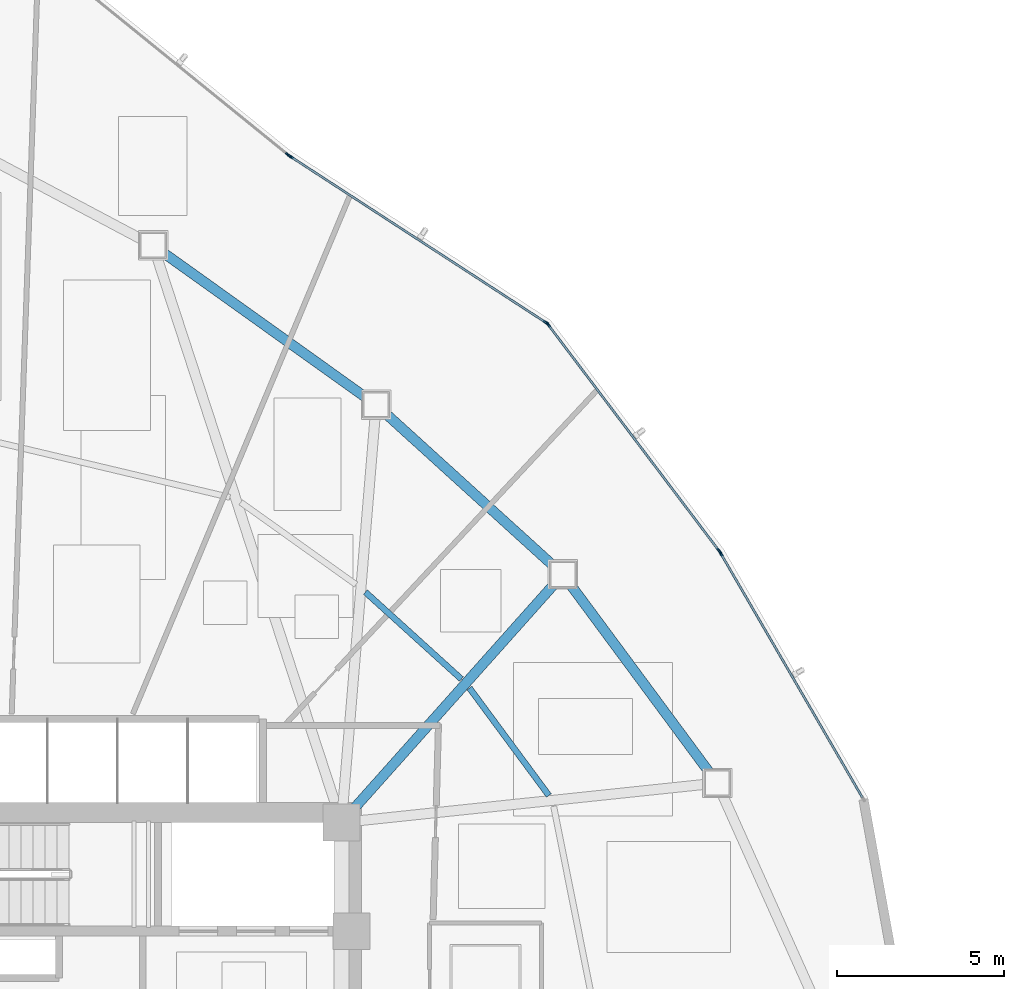
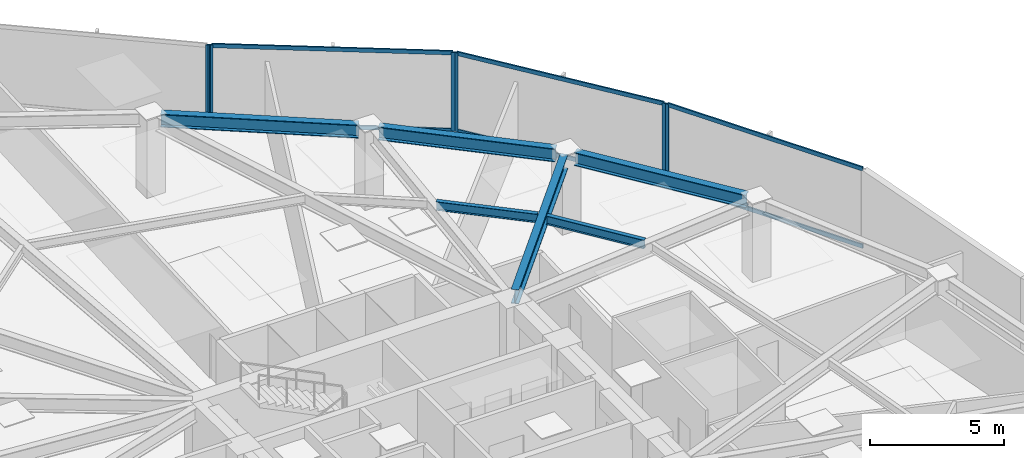
# One storey, part 9 of 17: 12 members, 6 beams, 4 elements without a shape of their own.
"""IFC4 building model written with IfcOpenShell, lengths in metres."""

from ifc_helpers import new_model, si_unit, direction, frame, origin, origin_2d, place, context, subcontext, project, spatial, hollow_rectangle, i_section, extrude, source, transform, mapped, material, layer, layer_set, material_profile, profile_set, type_object, type_shapes, element, aggregate, save


model = new_model("IFC4")

# Units and contexts
model_context = context("Model", 3, precision=1e-05, world=origin(), true_north=direction((0.0, 1.0)))
body_context = subcontext(model_context, "Body", "Model", "MODEL_VIEW")
ifc_project = project(units=[si_unit("LENGTHUNIT", "METRE"), si_unit("AREAUNIT", "SQUARE_METRE"), si_unit("VOLUMEUNIT", "CUBIC_METRE"), si_unit("PLANEANGLEUNIT", "RADIAN"), si_unit("MASSUNIT", "GRAM", prefix="KILO")], contexts=[model_context])

# Site, building, storey
site_placement = place(None, origin())
site = spatial("IfcSite", under=ifc_project, at=site_placement, CompositionType="ELEMENT")
building_placement = place(site_placement, origin())
building = spatial("IfcBuilding", under=site, at=building_placement, Name="Tavelor Broadcast Tower", CompositionType="ELEMENT")
storey_placement = place(building_placement, frame((0.0, 0.0, 39.300048828125)))
storey = spatial("IfcBuildingStorey", under=building, at=storey_placement, Name="L08", CompositionType="ELEMENT", Elevation=39.300048828125)

# Beams
ifc_material_1 = material(Name="Steel S355", Category="steel")
ifc_material_profile_1 = material_profile(ifc_material_1, i_section(OverallWidth=0.179931640625, OverallDepth=0.39990234375, WebThickness=0.008544921875, FlangeThickness=0.013427734375, at=origin_2d()), Name="IPE 400")
ifc_profile_set_1 = profile_set([ifc_material_profile_1], Name="Steel S355")
beam_type_1 = type_object("IfcBeamType", Name="Composite Floor Joist T1 IPE 400", PredefinedType="JOIST", material=ifc_profile_set_1)
beam_1_placement = place(storey_placement, frame((62.804443359375, 52.009521484375, 3.39990234375), z_axis=(-0.594288025828, 0.804252287754, 0.0), x_axis=(-0.804252287754, -0.594288025828, 0.0)))
element("IfcBeam", 1, at=beam_1_placement, inside=storey, type_object=beam_type_1, Name="L08 Secondary Composite Floor Joist 15", PredefinedType="JOIST", context=body_context, shape_type="SweptSolid", body=[
    extrude(i_section(OverallWidth=0.179931640625, OverallDepth=0.39990234375, WebThickness=0.008544921875, FlangeThickness=0.013427734375, at=origin_2d()), origin(), (0.0, 0.0, 1.0), 3.99755859375),
])
beam_2_placement = place(storey_placement, frame((60.18701171875, 55.49169921875, 3.39990234375), z_axis=(-0.740990869176, 0.67151510169, 0.0), x_axis=(-0.67151510169, -0.740990869176, 0.0)))
element("IfcBeam", 2, at=beam_2_placement, inside=storey, type_object=beam_type_1, Name="L08 Secondary Composite Floor Joist 16", PredefinedType="JOIST", context=body_context, shape_type="SweptSolid", body=[
    extrude(i_section(OverallWidth=0.179931640625, OverallDepth=0.39990234375, WebThickness=0.008544921875, FlangeThickness=0.013427734375, at=origin_2d()), origin(), (0.0, 0.0, 1.0), 3.8759765625),
])
ifc_material_profile_2 = material_profile(ifc_material_1, i_section(OverallWidth=0.300048828125, OverallDepth=0.60009765625, WebThickness=0.015380859375, FlangeThickness=0.030029296875, at=origin_2d()), Name="HEB 600")
ifc_profile_set_2 = profile_set([ifc_material_profile_2], Name="Steel S355")
beam_type_2 = type_object("IfcBeamType", Name="Perimeter Spandrel Beam T1 HEB 600", PredefinedType="SPANDREL", material=ifc_profile_set_2)
beam_3_placement = place(storey_placement, frame((67.6123046875, 52.69140625, 3.300048828125), z_axis=(-0.594687385164, 0.803957034876, 0.0), x_axis=(-0.803957034876, -0.594687385164, 0.0)))
element("IfcBeam", 3, at=beam_3_placement, inside=storey, type_object=beam_type_2, Name="L08 Framed-Tube Ring Spandrel 15", PredefinedType="SPANDREL", context=body_context, shape_type="SweptSolid", body=[
    extrude(i_section(OverallWidth=0.300048828125, OverallDepth=0.60009765625, WebThickness=0.015380859375, FlangeThickness=0.030029296875, at=origin_2d()), origin(), (0.0, 0.0, 1.0), 6.9951171875),
])
beam_4_placement = place(storey_placement, frame((62.939697265625, 58.882080078125, 3.300048828125), z_axis=(-0.740415616175, 0.672149325168, 0.0), x_axis=(-0.672149325168, -0.740415616175, 0.0)))
element("IfcBeam", 4, at=beam_4_placement, inside=storey, type_object=beam_type_2, Name="L08 Framed-Tube Ring Spandrel 16", PredefinedType="SPANDREL", context=body_context, shape_type="SweptSolid", body=[
    extrude(i_section(OverallWidth=0.300048828125, OverallDepth=0.60009765625, WebThickness=0.015380859375, FlangeThickness=0.030029296875, at=origin_2d()), origin(), (0.0, 0.0, 1.0), 6.78076171875),
])
beam_5_placement = place(storey_placement, frame((57.322509765625, 63.921142578125, 3.300048828125), z_axis=(-0.813480467782, 0.581592235624, 0.0), x_axis=(-0.581592235624, -0.813480467782, 0.0)))
element("IfcBeam", 5, at=beam_5_placement, inside=storey, type_object=beam_type_2, Name="L08 Framed-Tube Ring Spandrel 17", PredefinedType="SPANDREL", context=body_context, shape_type="SweptSolid", body=[
    extrude(i_section(OverallWidth=0.300048828125, OverallDepth=0.60009765625, WebThickness=0.015380859375, FlangeThickness=0.030029296875, at=origin_2d()), origin(), (0.0, 0.0, 1.0), 7.43505859375),
])
ifc_material_profile_3 = material_profile(ifc_material_1, i_section(OverallWidth=0.300048828125, OverallDepth=0.64990234375, WebThickness=0.01611328125, FlangeThickness=0.031005859375, at=origin_2d()), Name="HEB 650")
ifc_profile_set_3 = profile_set([ifc_material_profile_3], Name="Steel S355")
beam_type_3 = type_object("IfcBeamType", Name="Radial Floor Girder T1 HEB 650", PredefinedType="BEAM", material=ifc_profile_set_3)
beam_6_placement = place(storey_placement, frame((56.951416015625, 51.593994140625, 3.27490234375), z_axis=(0.665781144197, 0.746147082036, 0.0), x_axis=(-0.746147082036, 0.665781144197, 0.0)))
element("IfcBeam", 6, at=beam_6_placement, inside=storey, type_object=beam_type_3, Name="L08 Radial Primary Floor Girder 16", PredefinedType="BEAM", context=body_context, shape_type="SweptSolid", body=[
    extrude(i_section(OverallWidth=0.300048828125, OverallDepth=0.64990234375, WebThickness=0.01611328125, FlangeThickness=0.031005859375, at=origin_2d()), origin(), (0.0, 0.0, 1.0), 9.03759765625),
])

# Curtain wall, member
ifc_material_2 = material(Name="Architectural Anodized Aluminium", Category="aluminium")
ifc_layer = layer(ifc_material_2, 0.179931640625)
ifc_layer_set = layer_set([ifc_layer], Name="Architectural Anodized Aluminium")
curtain_wall_type = type_object("IfcCurtainWallType", Name="Tower Low-Zone Unitised Curtain Wall CW02", PredefinedType="NOTDEFINED", material=ifc_layer_set)
curtain_wall_1_placement = place(storey_placement, origin())
curtain_wall_1 = element("IfcCurtainWall", 7, at=curtain_wall_1_placement, inside=storey, type_object=curtain_wall_type, Name="L08 Curtain Wall CW02 Run 57", PredefinedType="NOTDEFINED")
ifc_material_profile_4 = material_profile(ifc_material_2, hollow_rectangle(XDim=0.06494140625, YDim=0.179931640625, WallThickness=0.02197265625, at=origin_2d()), Name="RHS 65x180x22")
ifc_profile_set_4 = profile_set([ifc_material_profile_4], Name="Architectural Anodized Aluminium")
member_type_1 = type_object("IfcMemberType", Name="CW02 Extruded Aluminium Mullion 65x180", PredefinedType="MULLION", material=ifc_profile_set_4)
shared_shape_1 = source(origin(), body_context, "Body", "SweptSolid", [
    extrude(hollow_rectangle(XDim=0.06494140625, YDim=0.179931640625, WallThickness=0.02197265625, at=origin_2d()), origin(), (0.0, 0.0, 1.0), 3.599853515625),
])
type_shapes(member_type_1, [shared_shape_1])
member_1_placement = place(storey_placement, frame((67.943359375, 59.25634765625, 0.0), z_axis=(0.0, 0.0, 1.0), x_axis=(-0.864933850197, -0.501885878247, 0.0)))
member_1 = element("IfcMember", 8, at=member_1_placement, type_object=member_type_1, Name="CW02 mullion 2", PredefinedType="MULLION", context=body_context, shape_type="MappedRepresentation", body=[
    mapped(shared_shape_1, transform((0.0, 0.0, 0.0), scale=1.0)),
])

# Curtain wall, members
curtain_wall_2_placement = place(storey_placement, origin())
curtain_wall_2 = element("IfcCurtainWall", 9, at=curtain_wall_2_placement, inside=storey, type_object=curtain_wall_type, Name="L08 Curtain Wall CW02 Run 58", PredefinedType="NOTDEFINED")
member_2_placement = place(storey_placement, frame((67.890869140625, 59.33544921875, 0.0), z_axis=(0.0, 0.0, 1.0), x_axis=(-0.797845916737, -0.60286142118, 0.0)))
member_2 = element("IfcMember", 10, at=member_2_placement, type_object=member_type_1, Name="CW02 mullion 1", PredefinedType="MULLION", context=body_context, shape_type="MappedRepresentation", body=[
    mapped(shared_shape_1, transform((0.0, 0.0, 0.0), scale=1.0)),
])
member_3_placement = place(storey_placement, frame((62.78271484375, 66.095703125, 0.0), z_axis=(0.0, 0.0, 1.0), x_axis=(-0.797845916737, -0.60286142118, 0.0)))
member_3 = element("IfcMember", 11, at=member_3_placement, type_object=member_type_1, Name="CW02 mullion 2", PredefinedType="MULLION", context=body_context, shape_type="MappedRepresentation", body=[
    mapped(shared_shape_1, transform((0.0, 0.0, 0.0), scale=1.0)),
])

curtain_wall_3_placement = place(storey_placement, origin())
curtain_wall_3 = element("IfcCurtainWall", 12, at=curtain_wall_3_placement, inside=storey, type_object=curtain_wall_type, Name="L08 Curtain Wall CW02 Run 59", PredefinedType="NOTDEFINED")
member_4_placement = place(storey_placement, frame((62.714111328125, 66.159423828125, 0.0), z_axis=(0.0, 0.0, 1.0), x_axis=(-0.544982216558, -0.838447603393, 0.0)))
member_4 = element("IfcMember", 13, at=member_4_placement, type_object=member_type_1, Name="CW02 mullion 1", PredefinedType="MULLION", context=body_context, shape_type="MappedRepresentation", body=[
    mapped(shared_shape_1, transform((0.0, 0.0, 0.0), scale=1.0)),
])
member_5_placement = place(storey_placement, frame((55.08154296875, 71.12060546875, 0.0), z_axis=(0.0, 0.0, 1.0), x_axis=(-0.544982216558, -0.838447603393, 0.0)))
member_5 = element("IfcMember", 14, at=member_5_placement, type_object=member_type_1, Name="CW02 mullion 2", PredefinedType="MULLION", context=body_context, shape_type="MappedRepresentation", body=[
    mapped(shared_shape_1, transform((0.0, 0.0, 0.0), scale=1.0)),
])

# Curtain wall, member
curtain_wall_4_placement = place(storey_placement, origin())
curtain_wall_4 = element("IfcCurtainWall", 15, at=curtain_wall_4_placement, inside=storey, type_object=curtain_wall_type, Name="L08 Curtain Wall CW02 Run 60", PredefinedType="NOTDEFINED")
member_6_placement = place(storey_placement, frame((55.004638671875, 71.176513671875, 0.0), z_axis=(0.0, 0.0, 1.0), x_axis=(-0.629631012574, -0.776894322289, 0.0)))
member_6 = element("IfcMember", 16, at=member_6_placement, type_object=member_type_1, Name="CW02 mullion 1", PredefinedType="MULLION", context=body_context, shape_type="MappedRepresentation", body=[
    mapped(shared_shape_1, transform((0.0, 0.0, 0.0), scale=1.0)),
])
aggregate(curtain_wall_4, [member_6])

# Member
ifc_material_profile_5 = material_profile(ifc_material_2, hollow_rectangle(XDim=0.06494140625, YDim=0.179931640625, WallThickness=0.02197265625, at=origin_2d()), Name="RHS 65x180x22")
ifc_profile_set_5 = profile_set([ifc_material_profile_5], Name="Architectural Anodized Aluminium")
member_type_2 = type_object("IfcMemberType", Name="CW02 Extruded Aluminium Transom 65x180", PredefinedType="USERDEFINED", material=ifc_profile_set_5)
shared_shape_2 = source(origin(), body_context, "Body", "SweptSolid", [
    extrude(hollow_rectangle(XDim=0.06494140625, YDim=0.179931640625, WallThickness=0.02197265625, at=origin_2d()), origin(), (0.0, 0.0, 1.0), 8.423095703125),
])
member_7_placement = place(storey_placement, frame((72.18701171875, 51.94287109375, 0.032470703125), z_axis=(-0.501874674974, 0.864940350903, 0.0), x_axis=(-0.864940350903, -0.501874674974, 0.0)))
member_7 = element("IfcMember", 17, at=member_7_placement, type_object=member_type_2, Name="CW02 transom 1.1", ObjectType="TRANSOM", PredefinedType="USERDEFINED", context=body_context, shape_type="MappedRepresentation", body=[
    mapped(shared_shape_2, transform((0.0, 0.0, 0.0), scale=1.0)),
])

member_8_placement = place(storey_placement, frame((72.18701171875, 51.94287109375, 3.5673828125), z_axis=(-0.501874674974, 0.864940350903, 0.0), x_axis=(-0.864940350903, -0.501874674974, 0.0)))
member_8 = element("IfcMember", 18, at=member_8_placement, type_object=member_type_2, Name="CW02 transom 1.2", ObjectType="TRANSOM", PredefinedType="USERDEFINED", context=body_context, shape_type="MappedRepresentation", body=[
    mapped(shared_shape_2, transform((0.0, 0.0, 0.0), scale=1.0)),
])

aggregate(curtain_wall_1, [member_1, member_7, member_8])

shared_shape_3 = source(origin(), body_context, "Body", "SweptSolid", [
    extrude(hollow_rectangle(XDim=0.06494140625, YDim=0.179931640625, WallThickness=0.02197265625, at=origin_2d()), origin(), (0.0, 0.0, 1.0), 8.408203125),
])
member_9_placement = place(storey_placement, frame((67.87109375, 59.361328125, 0.032470703125), z_axis=(-0.602848697945, 0.797855530398, 0.0), x_axis=(-0.797855530398, -0.602848697945, 0.0)))
member_9 = element("IfcMember", 19, at=member_9_placement, type_object=member_type_2, Name="CW02 transom 1.1", ObjectType="TRANSOM", PredefinedType="USERDEFINED", context=body_context, shape_type="MappedRepresentation", body=[
    mapped(shared_shape_3, transform((0.0, 0.0, 0.0), scale=1.0)),
])

member_10_placement = place(storey_placement, frame((67.87109375, 59.361328125, 3.5673828125), z_axis=(-0.602848697945, 0.797855530398, 0.0), x_axis=(-0.797855530398, -0.602848697945, 0.0)))
member_10 = element("IfcMember", 20, at=member_10_placement, type_object=member_type_2, Name="CW02 transom 1.2", ObjectType="TRANSOM", PredefinedType="USERDEFINED", context=body_context, shape_type="MappedRepresentation", body=[
    mapped(shared_shape_3, transform((0.0, 0.0, 0.0), scale=1.0)),
])

aggregate(curtain_wall_2, [member_2, member_3, member_9, member_10])

shared_shape_4 = source(origin(), body_context, "Body", "SweptSolid", [
    extrude(hollow_rectangle(XDim=0.06494140625, YDim=0.179931640625, WallThickness=0.02197265625, at=origin_2d()), origin(), (0.0, 0.0, 1.0), 9.03857421875),
])
type_shapes(member_type_2, [shared_shape_2, shared_shape_3, shared_shape_4])
member_11_placement = place(storey_placement, frame((62.68701171875, 66.17724609375, 0.032470703125), z_axis=(-0.83845163884, 0.544976008029, 0.0), x_axis=(-0.544976008029, -0.83845163884, 0.0)))
member_11 = element("IfcMember", 21, at=member_11_placement, type_object=member_type_2, Name="CW02 transom 1.1", ObjectType="TRANSOM", PredefinedType="USERDEFINED", context=body_context, shape_type="MappedRepresentation", body=[
    mapped(shared_shape_4, transform((0.0, 0.0, 0.0), scale=1.0)),
])

member_12_placement = place(storey_placement, frame((62.68701171875, 66.17724609375, 3.5673828125), z_axis=(-0.83845163884, 0.544976008029, 0.0), x_axis=(-0.544976008029, -0.83845163884, 0.0)))
member_12 = element("IfcMember", 22, at=member_12_placement, type_object=member_type_2, Name="CW02 transom 1.2", ObjectType="TRANSOM", PredefinedType="USERDEFINED", context=body_context, shape_type="MappedRepresentation", body=[
    mapped(shared_shape_4, transform((0.0, 0.0, 0.0), scale=1.0)),
])

aggregate(curtain_wall_3, [member_4, member_5, member_11, member_12])

save(model, "model.ifc")
